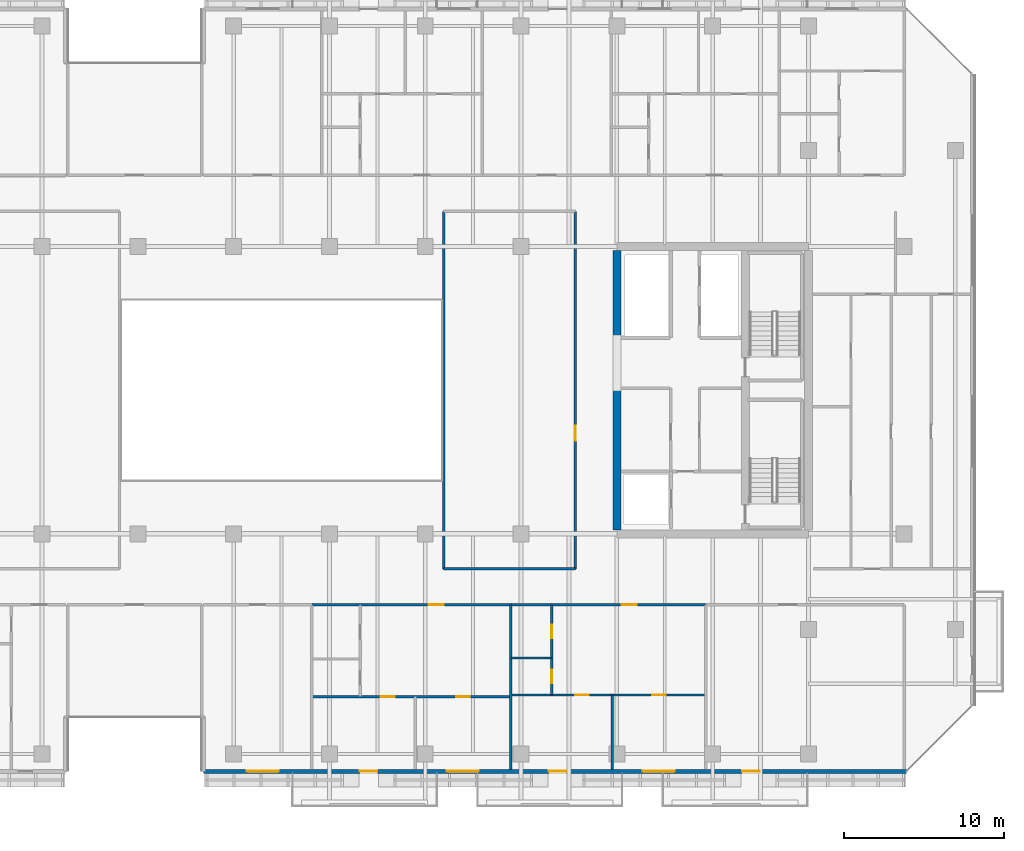
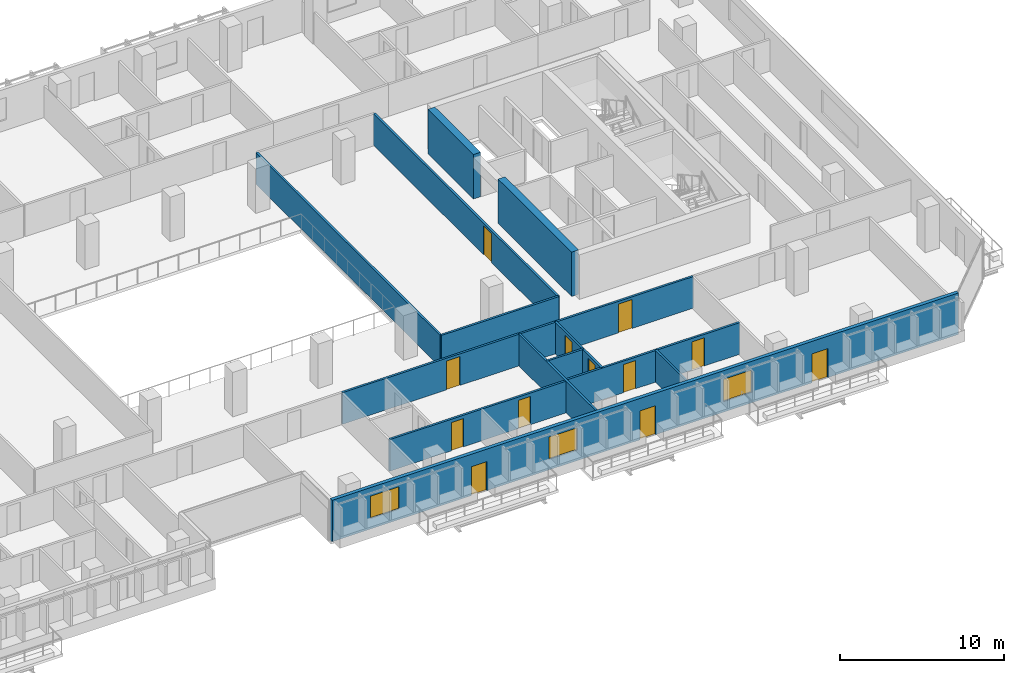
# One storey, part 23 of 33: 14 walls, 12 doors, 3 windows, 15 openings.
"""IFC4 building model written with IfcOpenShell, lengths in metres."""

from ifc_helpers import new_model, si_unit, direction, frame, frame_2d, origin, place, context, subcontext, project, spatial, rectangle, extrude, material, layer, layer_set, type_object, element, fill, save


model = new_model("IFC4")

# Units and contexts
model_context = context("Model", 3, precision=1e-05, world=origin(), true_north=direction((0.0, 1.0)))
body_context = subcontext(model_context, "Body", "Model", "MODEL_VIEW")
ifc_project = project(units=[si_unit("LENGTHUNIT", "METRE"), si_unit("AREAUNIT", "SQUARE_METRE"), si_unit("VOLUMEUNIT", "CUBIC_METRE"), si_unit("PLANEANGLEUNIT", "RADIAN"), si_unit("MASSUNIT", "GRAM", prefix="KILO")], contexts=[model_context])

# Site, building, storey
site_placement = place(None, origin())
site = spatial("IfcSite", under=ifc_project, at=site_placement, CompositionType="ELEMENT")
building_placement = place(site_placement, origin())
building = spatial("IfcBuilding", under=site, at=building_placement, Name="Tanjung Sevakor Pilgrim Tower", CompositionType="ELEMENT")
storey_placement = place(building_placement, frame((0.0, 0.0, 95.3701171875)))
storey = spatial("IfcBuildingStorey", under=building, at=storey_placement, Name="L26", CompositionType="ELEMENT", Elevation=95.3701171875)

# Walls
ifc_material_1 = material(Name="Concrete C60/75", Category="concrete")
ifc_layer_1 = layer(ifc_material_1, 0.5)
ifc_layer_set_1 = layer_set([ifc_layer_1], Name="WALL-CW-500")
wall_type_1 = type_object("IfcWallType", Name="WALL-CW-500", PredefinedType="SHEAR", material=ifc_layer_set_1)
wall_1_placement = place(storey_placement, frame((78.0, 24.85009765625, 0.0), z_axis=(0.0, 0.0, 1.0), x_axis=(0.0, 1.0, 0.0)))
element("IfcWall", 1, at=wall_1_placement, inside=storey, type_object=wall_type_1, Name="L26 E Core Inner Shear Wall South", PredefinedType="SHEAR", context=body_context, shape_type="SweptSolid", body=[
    extrude(rectangle(XDim=8.949951171875, YDim=0.5, at=frame_2d((4.47509765625, 0.0))), origin(), (0.0, 0.0, 1.0), 3.2998046875),
])
wall_2_placement = place(storey_placement, frame((78.0, 36.800048828125, 0.0), z_axis=(0.0, 0.0, 1.0), x_axis=(0.0, 1.0, 0.0)))
element("IfcWall", 2, at=wall_2_placement, inside=storey, type_object=wall_type_1, Name="L26 E Core Inner Shear Wall North", PredefinedType="SHEAR", context=body_context, shape_type="SweptSolid", body=[
    extrude(rectangle(XDim=5.550048828125, YDim=0.5, at=frame_2d((2.77490234375, 0.0))), origin(), (0.0, 0.0, 1.0), 3.2998046875),
])
ifc_material_2 = material(Name="Concrete C40/50", Category="concrete")
ifc_layer_2 = layer(ifc_material_2, 0.14990234375)
ifc_layer_set_2 = layer_set([ifc_layer_2], Name="WT-COMP-150")
wall_type_2 = type_object("IfcWallType", Name="WT-COMP-150", PredefinedType="SOLIDWALL", material=ifc_layer_set_2)
wall_3_placement = place(storey_placement, frame((67.14990234375, 22.39990234375, 0.0), z_axis=(0.0, 0.0, 1.0), x_axis=(1.0, 0.0, 0.0)))
element("IfcWall", 3, at=wall_3_placement, inside=storey, type_object=wall_type_2, Name="L26 Partition IW-L26-025", PredefinedType="SOLIDWALL", context=body_context, shape_type="SweptSolid", body=[
    extrude(rectangle(XDim=8.25, YDim=0.14990234375, at=frame_2d((4.125, 0.0))), origin(), (0.0, 0.0, 1.0), 2.35009765625),
])
wall_4_placement = place(storey_placement, frame((67.14990234375, 22.39990234375, 0.0), z_axis=(0.0, 0.0, 1.0), x_axis=(0.0, 1.0, 0.0)))
element("IfcWall", 4, at=wall_4_placement, inside=storey, type_object=wall_type_2, Name="L26 Partition IW-L26-027", PredefinedType="SOLIDWALL", context=body_context, shape_type="SweptSolid", body=[
    extrude(rectangle(XDim=22.400146484375, YDim=0.14990234375, at=frame_2d((11.2001953125, 0.0))), origin(), (0.0, 0.0, 1.0), 2.35009765625),
])

# Wall, opening, door
wall_5_placement = place(storey_placement, frame((75.39990234375, 22.39990234375, 0.0), z_axis=(0.0, 0.0, 1.0), x_axis=(0.0, 1.0, 0.0)))
wall_5 = element("IfcWall", 5, at=wall_5_placement, inside=storey, type_object=wall_type_2, Name="L26 Partition IW-L26-028", PredefinedType="SOLIDWALL", context=body_context, shape_type="SweptSolid", body=[
    extrude(rectangle(XDim=22.400146484375, YDim=0.14990234375, at=frame_2d((11.2001953125, 0.0))), origin(), (0.0, 0.0, 1.0), 2.35009765625),
])
opening_1_placement = place(wall_5_placement, frame((8.02490234375, 0.0, 0.0)))
opening_1 = element("IfcOpeningElement", 6, at=opening_1_placement, cuts=wall_5, Name="Opening ID-RM1", PredefinedType="OPENING", context=body_context, shape_type="SweptSolid", body=[
    extrude(rectangle(XDim=0.949951171875, YDim=2.14990234375, at=frame_2d((0.47509765625, 1.074951171875))), frame((0.0, 0.0849609375, 0.0), z_axis=(0.0, -1.0, 0.0), x_axis=(1.0, 0.0, 0.0)), (0.0, 0.0, 1.0), 0.169921875),
])
ifc_material_3 = material(Name="Hardwood Timber", Category="wood")
door_type_1 = type_object("IfcDoorType", Name="DT-INT-950", OperationType="NOTDEFINED", PredefinedType="DOOR", material=ifc_material_3)
door_1_placement = place(opening_1_placement, origin())
door_1 = element("IfcDoor", 7, at=door_1_placement, inside=storey, type_object=door_type_1, Name="L26 Central East Room Door", OperationType="SINGLE_SWING_LEFT", OverallHeight=2.14990234375, OverallWidth=0.949951171875, PredefinedType="DOOR", context=body_context, shape_type="SweptSolid", body=[
    extrude(rectangle(XDim=0.949951171875, YDim=2.14990234375, at=frame_2d((0.47509765625, 1.074951171875))), frame((0.0, 0.02490234375, 0.0), z_axis=(0.0, -1.0, 0.0), x_axis=(1.0, 0.0, 0.0)), (0.0, 0.0, 1.0), 0.050048828125),
])
fill(opening_1, door_1)

# Wall
wall_6_placement = place(storey_placement, frame((71.36328125, 9.85009765625, 0.0), z_axis=(0.0, 0.0, 1.0), x_axis=(0.0, 1.0, 0.0)))
element("IfcWall", 8, at=wall_6_placement, inside=storey, type_object=wall_type_2, Name="L26 Partition IW-L26-062", PredefinedType="SOLIDWALL", context=body_context, shape_type="SweptSolid", body=[
    extrude(rectangle(XDim=10.2998046875, YDim=0.14990234375, at=frame_2d((5.14990234375, 0.0))), origin(), (0.0, 0.0, 1.0), 2.35009765625),
])

# Wall, opening, door
wall_7_placement = place(storey_placement, frame((58.895751953125, 20.14990234375, 0.0), z_axis=(0.0, 0.0, 1.0), x_axis=(1.0, 0.0, 0.0)))
wall_7 = element("IfcWall", 9, at=wall_7_placement, inside=storey, type_object=wall_type_2, Name="L26 Partition IW-L26-067", PredefinedType="SOLIDWALL", context=body_context, shape_type="SweptSolid", body=[
    extrude(rectangle(XDim=12.467529296875, YDim=0.14990234375, at=frame_2d((6.23388671875, 0.0))), origin(), (0.0, 0.0, 1.0), 2.35009765625),
])
opening_2_placement = place(wall_7_placement, frame((7.310791015625, 0.0, 0.0)))
opening_2 = element("IfcOpeningElement", 10, at=opening_2_placement, cuts=wall_7, Name="Opening ID-FD2", PredefinedType="OPENING", context=body_context, shape_type="SweptSolid", body=[
    extrude(rectangle(XDim=0.949951171875, YDim=2.14990234375, at=frame_2d((0.47509765625, 1.074951171875))), frame((0.0, 0.0849609375, 0.0), z_axis=(0.0, -1.0, 0.0), x_axis=(1.0, 0.0, 0.0)), (0.0, 0.0, 1.0), 0.169921875),
])
ifc_material_4 = material(Name="Fire-Rated Timber", Category="wood")
door_type_2 = type_object("IfcDoorType", Name="DT-FIRE-950", OperationType="NOTDEFINED", PredefinedType="DOOR", material=ifc_material_4)
door_2_placement = place(opening_2_placement, origin())
door_2 = element("IfcDoor", 11, at=door_2_placement, inside=storey, type_object=door_type_2, Name="Suite Entrance", OperationType="SINGLE_SWING_RIGHT", OverallHeight=2.14990234375, OverallWidth=0.949951171875, PredefinedType="DOOR", context=body_context, shape_type="SweptSolid", body=[
    extrude(rectangle(XDim=0.949951171875, YDim=2.14990234375, at=frame_2d((0.47509765625, 1.074951171875))), frame((0.0, 0.02490234375, 0.0), z_axis=(0.0, -1.0, 0.0), x_axis=(1.0, 0.0, 0.0)), (0.0, 0.0, 1.0), 0.050048828125),
])
fill(opening_2, door_2)

wall_8_placement = place(storey_placement, frame((71.36328125, 20.14990234375, 0.0), z_axis=(0.0, 0.0, 1.0), x_axis=(1.0, 0.0, 0.0)))
wall_8 = element("IfcWall", 12, at=wall_8_placement, inside=storey, type_object=wall_type_2, Name="L26 Partition IW-L26-073", PredefinedType="SOLIDWALL", context=body_context, shape_type="SweptSolid", body=[
    extrude(rectangle(XDim=12.1962890625, YDim=0.14990234375, at=frame_2d((6.09814453125, 0.0))), origin(), (0.0, 0.0, 1.0), 2.35009765625),
])
opening_3_placement = place(wall_8_placement, frame((6.941650390625, 0.0, 0.0)))
opening_3 = element("IfcOpeningElement", 13, at=opening_3_placement, cuts=wall_8, Name="Opening ID-FD2", PredefinedType="OPENING", context=body_context, shape_type="SweptSolid", body=[
    extrude(rectangle(XDim=0.949951171875, YDim=2.14990234375, at=frame_2d((0.47509765625, 1.074951171875))), frame((0.0, 0.0849609375, 0.0), z_axis=(0.0, -1.0, 0.0), x_axis=(1.0, 0.0, 0.0)), (0.0, 0.0, 1.0), 0.169921875),
])
door_3_placement = place(opening_3_placement, origin())
door_3 = element("IfcDoor", 14, at=door_3_placement, inside=storey, type_object=door_type_2, Name="Suite Entrance", OperationType="SINGLE_SWING_LEFT", OverallHeight=2.14990234375, OverallWidth=0.949951171875, PredefinedType="DOOR", context=body_context, shape_type="SweptSolid", body=[
    extrude(rectangle(XDim=0.949951171875, YDim=2.14990234375, at=frame_2d((0.47509765625, 1.074951171875))), frame((0.0, 0.02490234375, 0.0), z_axis=(0.0, -1.0, 0.0), x_axis=(1.0, 0.0, 0.0)), (0.0, 0.0, 1.0), 0.050048828125),
])
fill(opening_3, door_3)

# Wall, openings, doors, windows
ifc_material_5 = material(Name="Precast concrete C45/55", Category="concrete")
ifc_layer_3 = layer(ifc_material_5, 0.25)
ifc_layer_set_3 = layer_set([ifc_layer_3], Name="WT-EW-STN3")
wall_type_3 = type_object("IfcWallType", Name="WT-EW-STN3", PredefinedType="SOLIDWALL", material=ifc_layer_set_3)
wall_9_placement = place(storey_placement, frame((52.125, 9.72509765625, 0.0), z_axis=(0.0, 0.0, 1.0), x_axis=(1.0, 0.0, 0.0)))
wall_9 = element("IfcWall", 15, at=wall_9_placement, inside=storey, type_object=wall_type_3, Name="L26 MAIN Exterior Wall 5", PredefinedType="SOLIDWALL", context=body_context, shape_type="SweptSolid", body=[
    extrude(rectangle(XDim=44.023193359375, YDim=0.25, at=frame_2d((22.01171875, 0.0))), origin(), (0.0, 0.0, 1.0), 3.080078125),
])
opening_4_placement = place(wall_9_placement, frame((9.77490234375, 0.0, 0.0)))
opening_4 = element("IfcOpeningElement", 16, at=opening_4_placement, cuts=wall_9, Name="Opening ED-BAL-1100", PredefinedType="OPENING", context=body_context, shape_type="SweptSolid", body=[
    extrude(rectangle(XDim=1.10009765625, YDim=2.14990234375, at=frame_2d((0.550048828125, 1.074951171875))), frame((0.0, 0.135009765625, 0.0), z_axis=(0.0, -1.0, 0.0), x_axis=(1.0, 0.0, 0.0)), (0.0, 0.0, 1.0), 0.27001953125),
])
opening_5_placement = place(wall_9_placement, frame((21.625, 0.0, 0.0)))
opening_5 = element("IfcOpeningElement", 17, at=opening_5_placement, cuts=wall_9, Name="Opening ED-BAL-1100", PredefinedType="OPENING", context=body_context, shape_type="SweptSolid", body=[
    extrude(rectangle(XDim=1.10009765625, YDim=2.14990234375, at=frame_2d((0.550048828125, 1.074951171875))), frame((0.0, 0.135009765625, 0.0), z_axis=(0.0, -1.0, 0.0), x_axis=(1.0, 0.0, 0.0)), (0.0, 0.0, 1.0), 0.27001953125),
])
opening_6_placement = place(wall_9_placement, frame((33.72509765625, 0.0, 0.0)))
opening_6 = element("IfcOpeningElement", 18, at=opening_6_placement, cuts=wall_9, Name="Opening ED-BAL-1100", PredefinedType="OPENING", context=body_context, shape_type="SweptSolid", body=[
    extrude(rectangle(XDim=1.10009765625, YDim=2.14990234375, at=frame_2d((0.550048828125, 1.074951171875))), frame((0.0, 0.135009765625, 0.0), z_axis=(0.0, -1.0, 0.0), x_axis=(1.0, 0.0, 0.0)), (0.0, 0.0, 1.0), 0.27001953125),
])
opening_7_placement = place(wall_9_placement, frame((2.702880859375, 0.0, 0.780029296875)))
opening_7 = element("IfcOpeningElement", 19, at=opening_7_placement, cuts=wall_9, Name="Opening WN-Z2-1660", PredefinedType="OPENING", context=body_context, shape_type="SweptSolid", body=[
    extrude(rectangle(XDim=2.0, YDim=1.659912109375, at=frame_2d((1.0, 0.830078125))), frame((0.0, 0.135009765625, 0.0), z_axis=(0.0, -1.0, 0.0), x_axis=(1.0, 0.0, 0.0)), (0.0, 0.0, 1.0), 0.27001953125),
])
opening_8_placement = place(wall_9_placement, frame((15.236083984375, 0.0, 0.780029296875)))
opening_8 = element("IfcOpeningElement", 20, at=opening_8_placement, cuts=wall_9, Name="Opening WN-Z2-1660", PredefinedType="OPENING", context=body_context, shape_type="SweptSolid", body=[
    extrude(rectangle(XDim=2.0, YDim=1.659912109375, at=frame_2d((1.0, 0.830078125))), frame((0.0, 0.135009765625, 0.0), z_axis=(0.0, -1.0, 0.0), x_axis=(1.0, 0.0, 0.0)), (0.0, 0.0, 1.0), 0.27001953125),
])
opening_9_placement = place(wall_9_placement, frame((27.49755859375, 0.0, 0.780029296875)))
opening_9 = element("IfcOpeningElement", 21, at=opening_9_placement, cuts=wall_9, Name="Opening WN-Z2-1660", PredefinedType="OPENING", context=body_context, shape_type="SweptSolid", body=[
    extrude(rectangle(XDim=2.0, YDim=1.659912109375, at=frame_2d((1.0, 0.830078125))), frame((0.0, 0.135009765625, 0.0), z_axis=(0.0, -1.0, 0.0), x_axis=(1.0, 0.0, 0.0)), (0.0, 0.0, 1.0), 0.27001953125),
])
ifc_material_6 = material(Name="Anodised Aluminium and Laminated Glass", Category="aluminium")
door_type_3 = type_object("IfcDoorType", Name="DTYP-ED-BAL-1100", OperationType="NOTDEFINED", PredefinedType="DOOR", material=ifc_material_6)
door_4_placement = place(opening_4_placement, frame((1.10009765625, 0.0, 0.0), z_axis=(0.0, 0.0, 1.0), x_axis=(-1.0, 0.0, 0.0)))
door_4 = element("IfcDoor", 22, at=door_4_placement, inside=storey, type_object=door_type_3, Name="L26 Balcony Door MAIN-S2", OperationType="SINGLE_SWING_LEFT", OverallHeight=2.14990234375, OverallWidth=1.10009765625, PredefinedType="DOOR", context=body_context, shape_type="SweptSolid", body=[
    extrude(rectangle(XDim=1.10009765625, YDim=2.14990234375, at=frame_2d((0.550048828125, 1.074951171875))), frame((0.0, 0.02490234375, 0.0), z_axis=(0.0, -1.0, 0.0), x_axis=(1.0, 0.0, 0.0)), (0.0, 0.0, 1.0), 0.050048828125),
])
fill(opening_4, door_4)
door_5_placement = place(opening_5_placement, frame((1.10009765625, 0.0, 0.0), z_axis=(0.0, 0.0, 1.0), x_axis=(-1.0, 0.0, 0.0)))
door_5 = element("IfcDoor", 23, at=door_5_placement, inside=storey, type_object=door_type_3, Name="L26 Balcony Door MAIN-S3", OperationType="SINGLE_SWING_RIGHT", OverallHeight=2.14990234375, OverallWidth=1.10009765625, PredefinedType="DOOR", context=body_context, shape_type="SweptSolid", body=[
    extrude(rectangle(XDim=1.10009765625, YDim=2.14990234375, at=frame_2d((0.550048828125, 1.074951171875))), frame((0.0, 0.02490234375, 0.0), z_axis=(0.0, -1.0, 0.0), x_axis=(1.0, 0.0, 0.0)), (0.0, 0.0, 1.0), 0.050048828125),
])
fill(opening_5, door_5)
door_6_placement = place(opening_6_placement, frame((1.10009765625, 0.0, 0.0), z_axis=(0.0, 0.0, 1.0), x_axis=(-1.0, 0.0, 0.0)))
door_6 = element("IfcDoor", 24, at=door_6_placement, inside=storey, type_object=door_type_3, Name="L26 Balcony Door MAIN-S4", OperationType="SINGLE_SWING_LEFT", OverallHeight=2.14990234375, OverallWidth=1.10009765625, PredefinedType="DOOR", context=body_context, shape_type="SweptSolid", body=[
    extrude(rectangle(XDim=1.10009765625, YDim=2.14990234375, at=frame_2d((0.550048828125, 1.074951171875))), frame((0.0, 0.02490234375, 0.0), z_axis=(0.0, -1.0, 0.0), x_axis=(1.0, 0.0, 0.0)), (0.0, 0.0, 1.0), 0.050048828125),
])
fill(opening_6, door_6)
ifc_material_7 = material(Name="Thermally Broken Aluminium and Low-E Glass", Category="aluminium")
window_type = type_object("IfcWindowType", Name="WTYP-WN-Z2-1660", PartitioningType="DOUBLE_PANEL_VERTICAL", PredefinedType="WINDOW", material=ifc_material_7)
window_1_placement = place(opening_7_placement, origin())
window_1 = element("IfcWindow", 25, at=window_1_placement, inside=storey, type_object=window_type, Name="L26 Facade Window 01", OverallHeight=1.659912109375, OverallWidth=2.0, PartitioningType="SINGLE_PANEL", PredefinedType="WINDOW", context=body_context, shape_type="SweptSolid", body=[
    extrude(rectangle(XDim=2.0, YDim=1.659912109375, at=frame_2d((1.0, 0.830078125))), frame((0.0, 0.030029296875, 0.0), z_axis=(0.0, -1.0, 0.0), x_axis=(1.0, 0.0, 0.0)), (0.0, 0.0, 1.0), 0.06005859375),
])
fill(opening_7, window_1)
window_2_placement = place(opening_8_placement, origin())
window_2 = element("IfcWindow", 26, at=window_2_placement, inside=storey, type_object=window_type, Name="L26 Facade Window 02", OverallHeight=1.659912109375, OverallWidth=2.0, PartitioningType="SINGLE_PANEL", PredefinedType="WINDOW", context=body_context, shape_type="SweptSolid", body=[
    extrude(rectangle(XDim=2.0, YDim=1.659912109375, at=frame_2d((1.0, 0.830078125))), frame((0.0, 0.030029296875, 0.0), z_axis=(0.0, -1.0, 0.0), x_axis=(1.0, 0.0, 0.0)), (0.0, 0.0, 1.0), 0.06005859375),
])
fill(opening_8, window_2)
window_3_placement = place(opening_9_placement, origin())
window_3 = element("IfcWindow", 27, at=window_3_placement, inside=storey, type_object=window_type, Name="L26 Facade Window 03", OverallHeight=1.659912109375, OverallWidth=2.0, PartitioningType="SINGLE_PANEL", PredefinedType="WINDOW", context=body_context, shape_type="SweptSolid", body=[
    extrude(rectangle(XDim=2.0, YDim=1.659912109375, at=frame_2d((1.0, 0.830078125))), frame((0.0, 0.030029296875, 0.0), z_axis=(0.0, -1.0, 0.0), x_axis=(1.0, 0.0, 0.0)), (0.0, 0.0, 1.0), 0.06005859375),
])
fill(opening_9, window_3)

# Wall, openings, doors
ifc_material_8 = material(Name="Gypsum Board Partition", Category="gypsum board")
ifc_layer_4 = layer(ifc_material_8, 0.14990234375)
ifc_layer_set_4 = layer_set([ifc_layer_4], Name="WT-PART-150")
wall_type_4 = type_object("IfcWallType", Name="WT-PART-150", PredefinedType="PARTITIONING", material=ifc_layer_set_4)
wall_10_placement = place(storey_placement, frame((58.895751953125, 14.400390625, 0.0), z_axis=(0.0, 0.0, 1.0), x_axis=(1.0, 0.0, 0.0)))
wall_10 = element("IfcWall", 28, at=wall_10_placement, inside=storey, type_object=wall_type_4, Name="L26 Partition IW-L26-066", PredefinedType="PARTITIONING", context=body_context, shape_type="SweptSolid", body=[
    extrude(rectangle(XDim=12.467529296875, YDim=0.14990234375, at=frame_2d((6.23388671875, 0.0))), origin(), (0.0, 0.0, 1.0), 2.35009765625),
])
opening_10_placement = place(wall_10_placement, frame((4.32861328125, 0.0, 0.0)))
opening_10 = element("IfcOpeningElement", 29, at=opening_10_placement, cuts=wall_10, Name="Opening ID-WC1", PredefinedType="OPENING", context=body_context, shape_type="SweptSolid", body=[
    extrude(rectangle(XDim=0.85009765625, YDim=2.10009765625, at=frame_2d((0.425048828125, 1.050048828125))), frame((0.0, 0.0849609375, 0.0), z_axis=(0.0, -1.0, 0.0), x_axis=(1.0, 0.0, 0.0)), (0.0, 0.0, 1.0), 0.169921875),
])
opening_11_placement = place(wall_10_placement, frame((9.05029296875, 0.0, 0.0)))
opening_11 = element("IfcOpeningElement", 30, at=opening_11_placement, cuts=wall_10, Name="Opening ID-WC1", PredefinedType="OPENING", context=body_context, shape_type="SweptSolid", body=[
    extrude(rectangle(XDim=0.85009765625, YDim=2.10009765625, at=frame_2d((0.425048828125, 1.050048828125))), frame((0.0, 0.0849609375, 0.0), z_axis=(0.0, -1.0, 0.0), x_axis=(1.0, 0.0, 0.0)), (0.0, 0.0, 1.0), 0.169921875),
])
ifc_material_9 = material(Name="Moisture-Resistant Timber", Category="wood")
door_type_4 = type_object("IfcDoorType", Name="DT-INT-850", OperationType="NOTDEFINED", PredefinedType="DOOR", material=ifc_material_9)
door_7_placement = place(opening_10_placement, origin())
door_7 = element("IfcDoor", 31, at=door_7_placement, inside=storey, type_object=door_type_4, Name="Suite Bedroom 1 Door", OperationType="SINGLE_SWING_RIGHT", OverallHeight=2.10009765625, OverallWidth=0.85009765625, PredefinedType="DOOR", context=body_context, shape_type="SweptSolid", body=[
    extrude(rectangle(XDim=0.85009765625, YDim=2.10009765625, at=frame_2d((0.425048828125, 1.050048828125))), frame((0.0, 0.02490234375, 0.0), z_axis=(0.0, -1.0, 0.0), x_axis=(1.0, 0.0, 0.0)), (0.0, 0.0, 1.0), 0.050048828125),
])
fill(opening_10, door_7)
door_8_placement = place(opening_11_placement, origin())
door_8 = element("IfcDoor", 32, at=door_8_placement, inside=storey, type_object=door_type_4, Name="Suite Bedroom 2 Door", OperationType="SINGLE_SWING_LEFT", OverallHeight=2.10009765625, OverallWidth=0.85009765625, PredefinedType="DOOR", context=body_context, shape_type="SweptSolid", body=[
    extrude(rectangle(XDim=0.85009765625, YDim=2.10009765625, at=frame_2d((0.425048828125, 1.050048828125))), frame((0.0, 0.02490234375, 0.0), z_axis=(0.0, -1.0, 0.0), x_axis=(1.0, 0.0, 0.0)), (0.0, 0.0, 1.0), 0.050048828125),
])
fill(opening_11, door_8)

# Wall
wall_11_placement = place(storey_placement, frame((71.36328125, 16.8173828125, 0.0), z_axis=(0.0, 0.0, 1.0), x_axis=(1.0, 0.0, 0.0)))
element("IfcWall", 33, at=wall_11_placement, inside=storey, type_object=wall_type_4, Name="L26 Partition IW-L26-069", PredefinedType="PARTITIONING", context=body_context, shape_type="SweptSolid", body=[
    extrude(rectangle(XDim=2.556640625, YDim=0.14990234375, at=frame_2d((1.2783203125, 0.0))), origin(), (0.0, 0.0, 1.0), 2.35009765625),
])

# Wall, openings, doors
wall_12_placement = place(storey_placement, frame((73.919921875, 14.50146484375, 0.0), z_axis=(0.0, 0.0, 1.0), x_axis=(0.0, 1.0, 0.0)))
wall_12 = element("IfcWall", 34, at=wall_12_placement, inside=storey, type_object=wall_type_4, Name="L26 Partition IW-L26-070", PredefinedType="PARTITIONING", context=body_context, shape_type="SweptSolid", body=[
    extrude(rectangle(XDim=5.6484375, YDim=0.14990234375, at=frame_2d((2.82421875, 0.0))), origin(), (0.0, 0.0, 1.0), 2.35009765625),
])
opening_12_placement = place(wall_12_placement, frame((0.73291015625, 0.0, 0.0)))
opening_12 = element("IfcOpeningElement", 35, at=opening_12_placement, cuts=wall_12, Name="Opening ID-WC1", PredefinedType="OPENING", context=body_context, shape_type="SweptSolid", body=[
    extrude(rectangle(XDim=0.85009765625, YDim=2.10009765625, at=frame_2d((0.425048828125, 1.050048828125))), frame((0.0, 0.0849609375, 0.0), z_axis=(0.0, -1.0, 0.0), x_axis=(1.0, 0.0, 0.0)), (0.0, 0.0, 1.0), 0.169921875),
])
opening_13_placement = place(wall_12_placement, frame((3.55712890625, 0.0, 0.0)))
opening_13 = element("IfcOpeningElement", 36, at=opening_13_placement, cuts=wall_12, Name="Opening ID-WC1", PredefinedType="OPENING", context=body_context, shape_type="SweptSolid", body=[
    extrude(rectangle(XDim=0.85009765625, YDim=2.10009765625, at=frame_2d((0.425048828125, 1.050048828125))), frame((0.0, 0.0849609375, 0.0), z_axis=(0.0, -1.0, 0.0), x_axis=(1.0, 0.0, 0.0)), (0.0, 0.0, 1.0), 0.169921875),
])
door_9_placement = place(opening_12_placement, origin())
door_9 = element("IfcDoor", 37, at=door_9_placement, inside=storey, type_object=door_type_4, Name="Suite Bathroom Door", OperationType="SINGLE_SWING_LEFT", OverallHeight=2.10009765625, OverallWidth=0.85009765625, PredefinedType="DOOR", context=body_context, shape_type="SweptSolid", body=[
    extrude(rectangle(XDim=0.85009765625, YDim=2.10009765625, at=frame_2d((0.425048828125, 1.050048828125))), frame((0.0, 0.02490234375, 0.0), z_axis=(0.0, -1.0, 0.0), x_axis=(1.0, 0.0, 0.0)), (0.0, 0.0, 1.0), 0.050048828125),
])
fill(opening_12, door_9)
door_10_placement = place(opening_13_placement, origin())
door_10 = element("IfcDoor", 38, at=door_10_placement, inside=storey, type_object=door_type_4, Name="Suite Kitchenette Door", OperationType="SINGLE_SWING_RIGHT", OverallHeight=2.10009765625, OverallWidth=0.85009765625, PredefinedType="DOOR", context=body_context, shape_type="SweptSolid", body=[
    extrude(rectangle(XDim=0.85009765625, YDim=2.10009765625, at=frame_2d((0.425048828125, 1.050048828125))), frame((0.0, 0.02490234375, 0.0), z_axis=(0.0, -1.0, 0.0), x_axis=(1.0, 0.0, 0.0)), (0.0, 0.0, 1.0), 0.050048828125),
])
fill(opening_13, door_10)

# Wall
wall_13_placement = place(storey_placement, frame((77.705322265625, 9.85009765625, 0.0), z_axis=(0.0, 0.0, 1.0), x_axis=(0.0, 1.0, 0.0)))
element("IfcWall", 39, at=wall_13_placement, inside=storey, type_object=wall_type_4, Name="L26 Partition IW-L26-071", PredefinedType="PARTITIONING", context=body_context, shape_type="SweptSolid", body=[
    extrude(rectangle(XDim=4.6513671875, YDim=0.14990234375, at=frame_2d((2.32568359375, 0.0))), origin(), (0.0, 0.0, 1.0), 2.35009765625),
])

# Wall, openings, doors
wall_14_placement = place(storey_placement, frame((71.36328125, 14.50146484375, 0.0), z_axis=(0.0, 0.0, 1.0), x_axis=(1.0, 0.0, 0.0)))
wall_14 = element("IfcWall", 40, at=wall_14_placement, inside=storey, type_object=wall_type_4, Name="L26 Partition IW-L26-072", PredefinedType="PARTITIONING", context=body_context, shape_type="SweptSolid", body=[
    extrude(rectangle(XDim=12.1962890625, YDim=0.14990234375, at=frame_2d((6.09814453125, 0.0))), origin(), (0.0, 0.0, 1.0), 2.35009765625),
])
opening_14_placement = place(wall_14_placement, frame((4.0244140625, 0.0, 0.0)))
opening_14 = element("IfcOpeningElement", 41, at=opening_14_placement, cuts=wall_14, Name="Opening ID-WC1", PredefinedType="OPENING", context=body_context, shape_type="SweptSolid", body=[
    extrude(rectangle(XDim=0.85009765625, YDim=2.10009765625, at=frame_2d((0.425048828125, 1.050048828125))), frame((0.0, 0.0849609375, 0.0), z_axis=(0.0, -1.0, 0.0), x_axis=(1.0, 0.0, 0.0)), (0.0, 0.0, 1.0), 0.169921875),
])
opening_15_placement = place(wall_14_placement, frame((8.84423828125, 0.0, 0.0)))
opening_15 = element("IfcOpeningElement", 42, at=opening_15_placement, cuts=wall_14, Name="Opening ID-WC1", PredefinedType="OPENING", context=body_context, shape_type="SweptSolid", body=[
    extrude(rectangle(XDim=0.85009765625, YDim=2.10009765625, at=frame_2d((0.425048828125, 1.050048828125))), frame((0.0, 0.0849609375, 0.0), z_axis=(0.0, -1.0, 0.0), x_axis=(1.0, 0.0, 0.0)), (0.0, 0.0, 1.0), 0.169921875),
])
door_11_placement = place(opening_14_placement, origin())
door_11 = element("IfcDoor", 43, at=door_11_placement, inside=storey, type_object=door_type_4, Name="Suite Bedroom 1 Door", OperationType="SINGLE_SWING_LEFT", OverallHeight=2.10009765625, OverallWidth=0.85009765625, PredefinedType="DOOR", context=body_context, shape_type="SweptSolid", body=[
    extrude(rectangle(XDim=0.85009765625, YDim=2.10009765625, at=frame_2d((0.425048828125, 1.050048828125))), frame((0.0, 0.02490234375, 0.0), z_axis=(0.0, -1.0, 0.0), x_axis=(1.0, 0.0, 0.0)), (0.0, 0.0, 1.0), 0.050048828125),
])
fill(opening_14, door_11)
door_12_placement = place(opening_15_placement, origin())
door_12 = element("IfcDoor", 44, at=door_12_placement, inside=storey, type_object=door_type_4, Name="Suite Bedroom 2 Door", OperationType="SINGLE_SWING_RIGHT", OverallHeight=2.10009765625, OverallWidth=0.85009765625, PredefinedType="DOOR", context=body_context, shape_type="SweptSolid", body=[
    extrude(rectangle(XDim=0.85009765625, YDim=2.10009765625, at=frame_2d((0.425048828125, 1.050048828125))), frame((0.0, 0.02490234375, 0.0), z_axis=(0.0, -1.0, 0.0), x_axis=(1.0, 0.0, 0.0)), (0.0, 0.0, 1.0), 0.050048828125),
])
fill(opening_15, door_12)

save(model, "model.ifc")
